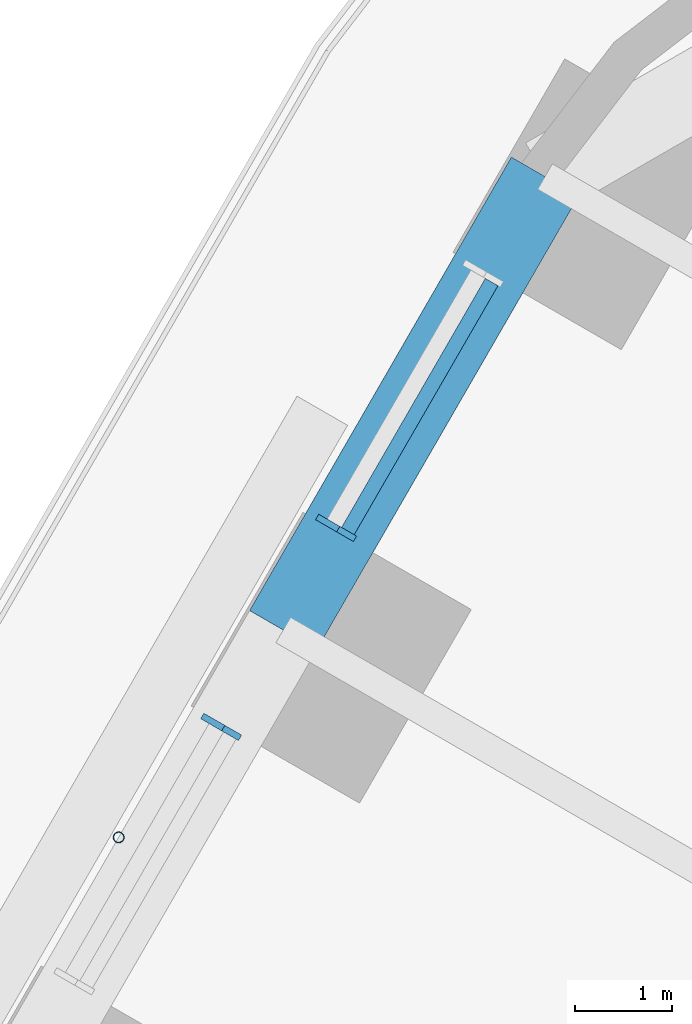
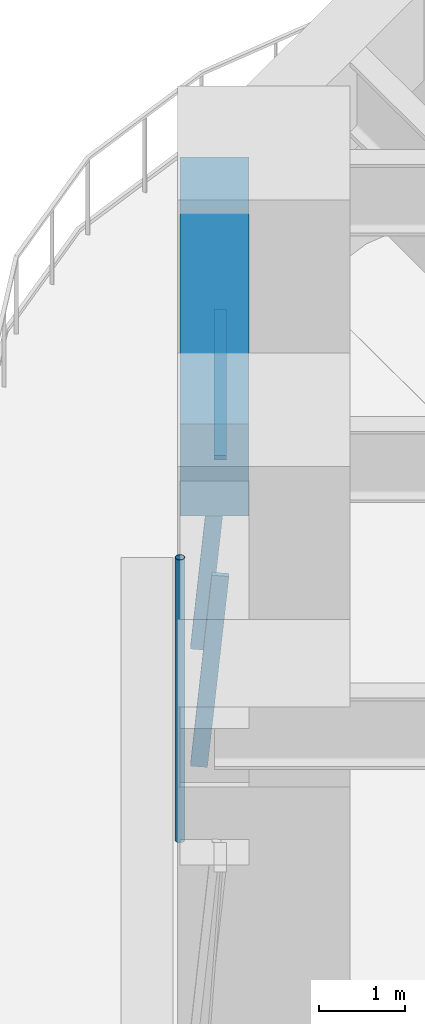
# One storey, part 9 of 23: 4 members, 1 beam, 2 elements without a shape of their own.
"""IFC4 building model written with IfcOpenShell, lengths in metres."""

from ifc_helpers import new_model, si_unit, direction, frame, origin, origin_2d, place, context, subcontext, project, spatial, rectangle, hollow_circle, extrude, material, material_profile, profile_set, type_object, element, aggregate, save


model = new_model("IFC4")

# Units and contexts
model_context = context("Model", 3, precision=1e-05, world=origin(), true_north=direction((0.0, 1.0)))
body_context = subcontext(model_context, "Body", "Model", "MODEL_VIEW")
ifc_project = project(units=[si_unit("LENGTHUNIT", "METRE"), si_unit("AREAUNIT", "SQUARE_METRE"), si_unit("VOLUMEUNIT", "CUBIC_METRE"), si_unit("PLANEANGLEUNIT", "RADIAN"), si_unit("MASSUNIT", "GRAM", prefix="KILO")], contexts=[model_context])

# Site, building, storey
site_placement = place(None, origin())
site = spatial("IfcSite", under=ifc_project, at=site_placement, CompositionType="ELEMENT")
building_placement = place(site_placement, origin())
building = spatial("IfcBuilding", under=site, at=building_placement, Name="Tarfa Lantern Tower", CompositionType="ELEMENT")
storey_placement = place(building_placement, frame((0.0, 0.0, 40.300048828125)))
storey = spatial("IfcBuildingStorey", under=building, at=storey_placement, Name="L08", CompositionType="ELEMENT", Elevation=40.300048828125)

# Curtain wall, member
ifc_material_1 = material(Name="Aluminium framed curtain wall", Category="aluminium")
curtain_wall_type = type_object("IfcCurtainWallType", Name="CW1 CANTED GLAZING LOW ZONE 2700", PredefinedType="USERDEFINED", material=ifc_material_1)
curtain_wall_1_placement = place(storey_placement, origin())
curtain_wall_1 = element("IfcCurtainWall", 1, at=curtain_wall_1_placement, inside=storey, type_object=curtain_wall_type, Name="CW1 NW L08", ObjectType="CURTAIN WALL", PredefinedType="USERDEFINED")
ifc_material_2 = material(Name="Aluminium mullion", Category="aluminium")
ifc_material_profile_1 = material_profile(ifc_material_2, rectangle(XDim=0.06494140625, YDim=0.199951171875, at=origin_2d()), Name="AL MULLION 65x200")
ifc_profile_set_1 = profile_set([ifc_material_profile_1], Name="Aluminium mullion")
member_type_1 = type_object("IfcMemberType", Name="CWM1 MULLION 65x200", PredefinedType="MULLION", material=ifc_profile_set_1)
member_1_placement = place(storey_placement, frame((-23.37841796875, 27.307373046875, 0.0), z_axis=(0.07986442134, -0.046099868913, 0.99573916077), x_axis=(0.499919672301, 0.866071776036, 0.0)))
member_1 = element("IfcMember", 2, at=member_1_placement, type_object=member_type_1, Name="CW1 mullion 2", PredefinedType="MULLION", context=body_context, shape_type="SweptSolid", body=[
    extrude(rectangle(XDim=0.06494140625, YDim=0.199951171875, at=origin_2d()), origin(), (0.0, 0.0, 1.0), 2.71142578125),
])

curtain_wall_2_placement = place(storey_placement, origin())
curtain_wall_2 = element("IfcCurtainWall", 3, at=curtain_wall_2_placement, inside=storey, type_object=curtain_wall_type, Name="CW1 NW L08", ObjectType="CURTAIN WALL", PredefinedType="USERDEFINED")
member_2_placement = place(storey_placement, frame((-24.560791015625, 25.25927734375, 0.0), z_axis=(0.079774955866, -0.04610020023, 0.995746317068), x_axis=(0.500342721131, 0.865827443207, 0.0)))
member_2 = element("IfcMember", 4, at=member_2_placement, type_object=member_type_1, Name="CW1 mullion 1", PredefinedType="MULLION", context=body_context, shape_type="SweptSolid", body=[
    extrude(rectangle(XDim=0.06494140625, YDim=0.199951171875, at=origin_2d()), origin(), (0.0, 0.0, 1.0), 2.71142578125),
])
aggregate(curtain_wall_2, [member_2])

# Member
ifc_material_3 = material(Name="Aluminium transom", Category="aluminium")
ifc_material_profile_2 = material_profile(ifc_material_3, rectangle(XDim=0.14990234375, YDim=0.06494140625, at=origin_2d()), Name="AL TRANSOM 150x65")
ifc_profile_set_2 = profile_set([ifc_material_profile_2], Name="Aluminium transom")
member_type_2 = type_object("IfcMemberType", Name="CWT1 TRANSOM 150x65", PredefinedType="USERDEFINED", material=ifc_profile_set_2)
member_3_placement = place(storey_placement, frame((-21.6689453125, 29.774169921875, 2.66748046875), z_axis=(-0.500017718492, -0.866015173767, 0.0), x_axis=(0.866015173767, -0.500017718492, 0.0)))
member_3 = element("IfcMember", 5, at=member_3_placement, type_object=member_type_2, Name="CW1 transom 1.2", ObjectType="TRANSOM", PredefinedType="USERDEFINED", context=body_context, shape_type="SweptSolid", body=[
    extrude(rectangle(XDim=0.14990234375, YDim=0.06494140625, at=origin_2d()), origin(), (0.0, 0.0, 1.0), 2.95849609375),
])

aggregate(curtain_wall_1, [member_1, member_3])

# Beam
ifc_material_4 = material(Name="Concrete C80/95", Category="concrete")
ifc_material_profile_3 = material_profile(ifc_material_4, rectangle(XDim=0.800048828125, YDim=1.300048828125, at=origin_2d()), Name="RC 800x1300")
ifc_profile_set_3 = profile_set([ifc_material_profile_3], Name="Concrete C80/95")
beam_type = type_object("IfcBeamType", Name="EB1 RC 800x1300", PredefinedType="SPANDREL", material=ifc_profile_set_3)
beam_placement = place(storey_placement, frame((-21.119384765625, 30.860107421875, 3.349853515625), z_axis=(-0.499998287579, -0.866026392449, 0.0), x_axis=(0.866026392449, -0.499998287579, 0.0)))
element("IfcBeam", 6, at=beam_placement, inside=storey, type_object=beam_type, Name="Edge beam NW0", PredefinedType="SPANDREL", context=body_context, shape_type="SweptSolid", body=[
    extrude(rectangle(XDim=0.800048828125, YDim=1.300048828125, at=origin_2d()), origin(), (0.0, 0.0, 1.0), 5.388671875),
])

# Member
ifc_material_5 = material(Name="Steel S355", Category="steel")
ifc_material_profile_4 = material_profile(ifc_material_5, hollow_circle(Radius=0.05712890625, WallThickness=0.00634765625, at=origin_2d()), Name="CHS114.3x6.3")
ifc_profile_set_4 = profile_set([ifc_material_profile_4], Name="Steel S355")
member_type_3 = type_object("IfcMemberType", Name="TR1 GREEN WALL TRELLIS CHS114.3x6.3", PredefinedType="USERDEFINED", material=ifc_profile_set_4)
member_4_placement = place(storey_placement, frame((-25.50732421875, 24.06005859375, 0.0), z_axis=(0.0, 0.0, 1.0), x_axis=(1.0, 0.0, 0.0)))
element("IfcMember", 7, at=member_4_placement, inside=storey, type_object=member_type_3, Name="Trellis post NW 1", ObjectType="TRELLIS", PredefinedType="USERDEFINED", context=body_context, shape_type="SweptSolid", body=[
    extrude(hollow_circle(Radius=0.05712890625, WallThickness=0.00634765625, at=origin_2d()), origin(), (0.0, 0.0, 1.0), 4.0),
])

save(model, "model.ifc")
